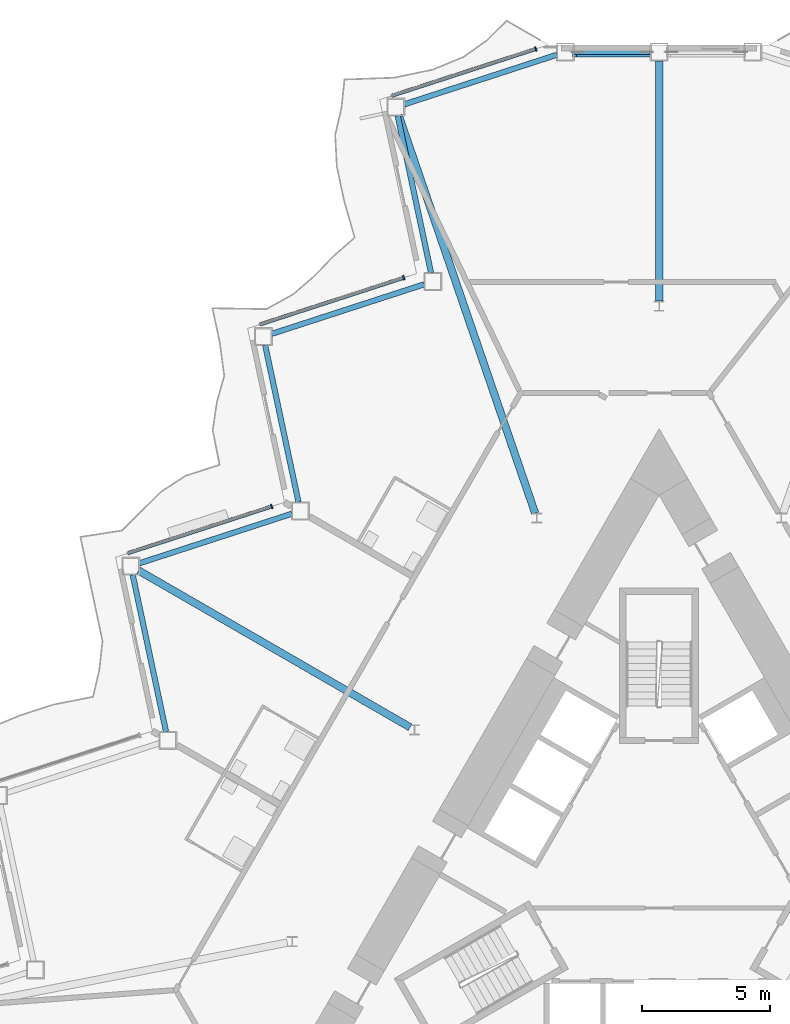
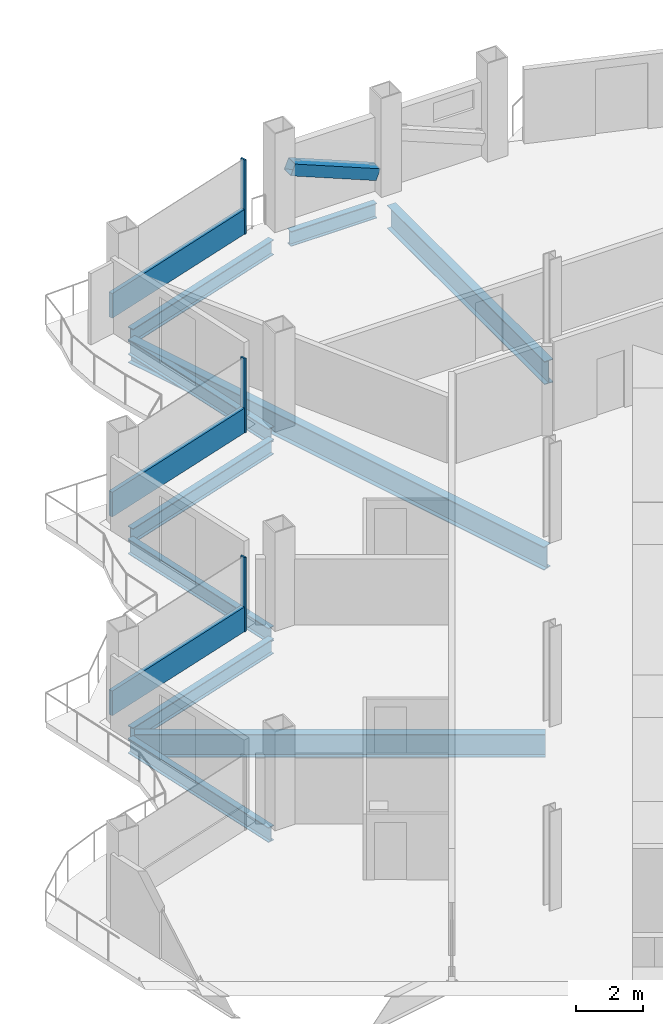
# One storey, part 8 of 24: 10 beams, 7 members, 3 elements without a shape of their own.
"""IFC4 building model written with IfcOpenShell, lengths in metres."""

from ifc_helpers import new_model, si_unit, direction, frame, origin, origin_2d, place, context, subcontext, project, spatial, rectangle, hollow_rectangle, i_section, extrude, material, layer, layer_set, material_profile, profile_set, type_object, element, aggregate, save


model = new_model("IFC4")

# Units and contexts
model_context = context("Model", 3, precision=1e-05, world=origin(), true_north=direction((0.0, 1.0)))
body_context = subcontext(model_context, "Body", "Model", "MODEL_VIEW")
ifc_project = project(units=[si_unit("LENGTHUNIT", "METRE"), si_unit("AREAUNIT", "SQUARE_METRE"), si_unit("VOLUMEUNIT", "CUBIC_METRE"), si_unit("PLANEANGLEUNIT", "RADIAN"), si_unit("MASSUNIT", "GRAM", prefix="KILO")], contexts=[model_context])

# Site, building, storey
site_placement = place(None, origin())
site = spatial("IfcSite", under=ifc_project, at=site_placement, CompositionType="ELEMENT")
building_placement = place(site_placement, origin())
building = spatial("IfcBuilding", under=site, at=building_placement, Name="Cormorant Prow Tower", CompositionType="ELEMENT")
storey_placement = place(building_placement, frame((0.0, 0.0, 234.60009765625)))
storey = spatial("IfcBuildingStorey", under=building, at=storey_placement, Name="L51", CompositionType="ELEMENT", Elevation=234.60009765625)

# Member
ifc_material_1 = material(Name="Structural steel ASTM A500 Gr C", Category="steel")
ifc_material_profile_1 = material_profile(ifc_material_1, hollow_rectangle(XDim=0.406494140625, YDim=0.406494140625, WallThickness=0.01171875, at=origin_2d()), Name="HSS16x16x1/2")
ifc_profile_set_1 = profile_set([ifc_material_profile_1], Name="Structural steel ASTM A500 Gr C")
member_type_1 = type_object("IfcMemberType", Name="Chamfer brace HSS16x16x1/2", PredefinedType="BRACE", material=ifc_profile_set_1)
member_1_placement = place(storey_placement, frame((-0.36572265625, 32.073486328125, 0.74951171875), z_axis=(-0.925591042089, 0.0, 0.37852506232), x_axis=(0.0, -1.0, 0.0)))
element("IfcMember", 1, at=member_1_placement, inside=storey, type_object=member_type_1, Name="Chamfer brace BR2 at N01 L51", PredefinedType="BRACE", context=body_context, shape_type="SweptSolid", body=[
    extrude(hollow_rectangle(XDim=0.406494140625, YDim=0.406494140625, WallThickness=0.01171875, at=origin_2d()), origin(), (0.0, 0.0, 1.0), 3.17529296875),
])

# Curtain wall, member
ifc_material_2 = material(Name="Aluminium 6063-T6", Category="aluminium")
ifc_layer = layer(ifc_material_2, 0.179931640625)
ifc_layer_set = layer_set([ifc_layer], Name="Aluminium 6063-T6")
curtain_wall_type = type_object("IfcCurtainWallType", Name="Hotel unitised curtain wall 180", PredefinedType="NOTDEFINED", material=ifc_layer_set)
curtain_wall_1_placement = place(storey_placement, origin())
curtain_wall_1 = element("IfcCurtainWall", 2, at=curtain_wall_1_placement, inside=storey, type_object=curtain_wall_type, Name="Hotel curtain wall WNW00", PredefinedType="NOTDEFINED")
ifc_material_3 = material(Name="Aluminium 6063-T6", Category="aluminium")
ifc_material_profile_2 = material_profile(ifc_material_3, rectangle(XDim=0.179931640625, YDim=0.06005859375, at=origin_2d()), Name="Hotel mullion 60x180")
ifc_profile_set_2 = profile_set([ifc_material_profile_2], Name="Aluminium 6063-T6")
member_type_2 = type_object("IfcMemberType", Name="Hotel mullion 60x180", PredefinedType="MULLION", material=ifc_profile_set_2)
member_2_placement = place(storey_placement, frame((-4.828857421875, 32.1923828125, 0.0), z_axis=(0.0, 0.0, 1.0), x_axis=(0.309016951383, -0.951056530264, 0.0)))
member_2 = element("IfcMember", 3, at=member_2_placement, type_object=member_type_2, Name="Hotel mullion WNW00", PredefinedType="MULLION", context=body_context, shape_type="SweptSolid", body=[
    extrude(rectangle(XDim=0.179931640625, YDim=0.06005859375, at=origin_2d()), origin(), (0.0, 0.0, 1.0), 2.70068359375),
])

curtain_wall_2_placement = place(storey_placement, origin())
curtain_wall_2 = element("IfcCurtainWall", 4, at=curtain_wall_2_placement, inside=storey, type_object=curtain_wall_type, Name="Hotel curtain wall WNW02", PredefinedType="NOTDEFINED")
member_3_placement = place(storey_placement, frame((-10.0009765625, 23.234375, 0.0), z_axis=(0.0, 0.0, 1.0), x_axis=(0.309017039126, -0.951056501755, 0.0)))
member_3 = element("IfcMember", 5, at=member_3_placement, type_object=member_type_2, Name="Hotel mullion WNW02", PredefinedType="MULLION", context=body_context, shape_type="SweptSolid", body=[
    extrude(rectangle(XDim=0.179931640625, YDim=0.06005859375, at=origin_2d()), origin(), (0.0, 0.0, 1.0), 2.70068359375),
])

curtain_wall_3_placement = place(storey_placement, origin())
curtain_wall_3 = element("IfcCurtainWall", 6, at=curtain_wall_3_placement, inside=storey, type_object=curtain_wall_type, Name="Hotel curtain wall WNW04", PredefinedType="NOTDEFINED")
member_4_placement = place(storey_placement, frame((-15.1728515625, 14.2763671875, 0.0), z_axis=(0.0, 0.0, 1.0), x_axis=(0.309017039126, -0.951056501755, 0.0)))
member_4 = element("IfcMember", 7, at=member_4_placement, type_object=member_type_2, Name="Hotel mullion WNW04", PredefinedType="MULLION", context=body_context, shape_type="SweptSolid", body=[
    extrude(rectangle(XDim=0.179931640625, YDim=0.06005859375, at=origin_2d()), origin(), (0.0, 0.0, 1.0), 2.70068359375),
])

# Member
ifc_material_4 = material(Name="Terracotta", Category="masonry")
ifc_material_profile_3 = material_profile(ifc_material_4, rectangle(XDim=0.139892578125, YDim=0.89990234375, at=origin_2d()), Name="Hotel terracotta spandrel rail 140x900")
ifc_profile_set_3 = profile_set([ifc_material_profile_3], Name="Terracotta")
member_type_3 = type_object("IfcMemberType", Name="Hotel terracotta spandrel rail 140x900", PredefinedType="USERDEFINED", material=ifc_profile_set_3)
member_5_placement = place(storey_placement, frame((-4.857421875, 32.18310546875, 0.449951171875), z_axis=(-0.951052928419, -0.309028036504, 0.0), x_axis=(0.309028036504, -0.951052928419, 0.0)))
member_5 = element("IfcMember", 8, at=member_5_placement, type_object=member_type_3, Name="Hotel spandrel rail WNW00", ObjectType="TRANSOM", PredefinedType="USERDEFINED", context=body_context, shape_type="SweptSolid", body=[
    extrude(rectangle(XDim=0.139892578125, YDim=0.89990234375, at=origin_2d()), origin(), (0.0, 0.0, 1.0), 5.8974609375),
])

aggregate(curtain_wall_1, [member_2, member_5])

member_6_placement = place(storey_placement, frame((-10.029296875, 23.22509765625, 0.449951171875), z_axis=(-0.951052928419, -0.309028036504, 0.0), x_axis=(0.309028036504, -0.951052928419, 0.0)))
member_6 = element("IfcMember", 9, at=member_6_placement, type_object=member_type_3, Name="Hotel spandrel rail WNW02", ObjectType="TRANSOM", PredefinedType="USERDEFINED", context=body_context, shape_type="SweptSolid", body=[
    extrude(rectangle(XDim=0.139892578125, YDim=0.89990234375, at=origin_2d()), origin(), (0.0, 0.0, 1.0), 5.8974609375),
])

aggregate(curtain_wall_2, [member_3, member_6])

member_7_placement = place(storey_placement, frame((-15.201171875, 14.26708984375, 0.449951171875), z_axis=(-0.951052928419, -0.309028036504, 0.0), x_axis=(0.309028036504, -0.951052928419, 0.0)))
member_7 = element("IfcMember", 10, at=member_7_placement, type_object=member_type_3, Name="Hotel spandrel rail WNW04", ObjectType="TRANSOM", PredefinedType="USERDEFINED", context=body_context, shape_type="SweptSolid", body=[
    extrude(rectangle(XDim=0.139892578125, YDim=0.89990234375, at=origin_2d()), origin(), (0.0, 0.0, 1.0), 5.8974609375),
])

aggregate(curtain_wall_3, [member_4, member_7])

# Beams
ifc_material_5 = material(Name="Structural steel ASTM A992 Gr 50", Category="steel")
ifc_material_profile_4 = material_profile(ifc_material_5, i_section(OverallWidth=0.29296875, OverallDepth=0.845703125, WebThickness=0.015380859375, FlangeThickness=0.0244140625, at=origin_2d()), Name="W33x141")
ifc_profile_set_4 = profile_set([ifc_material_profile_4], Name="Structural steel ASTM A992 Gr 50")
beam_type_1 = type_object("IfcBeamType", Name="Radial floor beam W33x141", PredefinedType="BEAM", material=ifc_profile_set_4)
beam_1_placement = place(storey_placement, frame((0.0, 22.320068359375, -0.77294921875), z_axis=(0.0, 1.0, 0.0), x_axis=(-1.0, 0.0, 0.0)))
element("IfcBeam", 11, at=beam_1_placement, inside=storey, type_object=beam_type_1, Name="Radial floor beam FB2 1 L51", PredefinedType="BEAM", context=body_context, shape_type="SweptSolid", body=[
    extrude(i_section(OverallWidth=0.29296875, OverallDepth=0.845703125, WebThickness=0.015380859375, FlangeThickness=0.0244140625, at=origin_2d()), origin(), (0.0, 0.0, 1.0), 9.4033203125),
])
beam_2_placement = place(storey_placement, frame((-4.85400390625, 14.013916015625, -0.77294921875), z_axis=(-0.324535507117, 0.945873514071, 0.0), x_axis=(-0.945873514071, -0.324535507117, 0.0)))
element("IfcBeam", 12, at=beam_2_placement, inside=storey, type_object=beam_type_1, Name="Radial floor beam FB2 2 L51", PredefinedType="BEAM", context=body_context, shape_type="SweptSolid", body=[
    extrude(i_section(OverallWidth=0.29296875, OverallDepth=0.845703125, WebThickness=0.015380859375, FlangeThickness=0.0244140625, at=origin_2d()), origin(), (0.0, 0.0, 1.0), 16.462158203125),
])
beam_3_placement = place(storey_placement, frame((-9.751220703125, 5.6298828125, -0.77294921875), z_axis=(-0.866021995826, 0.500005902711, 0.0), x_axis=(-0.500005902711, -0.866021995826, 0.0)))
element("IfcBeam", 13, at=beam_3_placement, inside=storey, type_object=beam_type_1, Name="Radial floor beam FB2 3 L51", PredefinedType="BEAM", context=body_context, shape_type="SweptSolid", body=[
    extrude(i_section(OverallWidth=0.29296875, OverallDepth=0.845703125, WebThickness=0.015380859375, FlangeThickness=0.0244140625, at=origin_2d()), origin(), (0.0, 0.0, 1.0), 12.277099609375),
])
ifc_material_6 = material(Name="Structural steel ASTM A992 Gr 50", Category="steel")
ifc_material_profile_5 = material_profile(ifc_material_6, i_section(OverallWidth=0.2138671875, OverallDepth=0.549072265625, WebThickness=0.0146484375, FlangeThickness=0.023681640625, at=origin_2d()), Name="W21x93")
ifc_profile_set_5 = profile_set([ifc_material_profile_5], Name="Structural steel ASTM A992 Gr 50")
beam_type_2 = type_object("IfcBeamType", Name="Spandrel beam W21x93", PredefinedType="SPANDREL", material=ifc_profile_set_5)
beam_4_placement = place(storey_placement, frame((-0.35009765625, 32.073486328125, -0.624755859375), z_axis=(-1.0, 0.0, 0.0), x_axis=(0.0, -1.0, 0.0)))
element("IfcBeam", 14, at=beam_4_placement, inside=storey, type_object=beam_type_2, Name="Spandrel beam SB2 N01-WNW00 L51", PredefinedType="SPANDREL", context=body_context, shape_type="SweptSolid", body=[
    extrude(i_section(OverallWidth=0.2138671875, OverallDepth=0.549072265625, WebThickness=0.0146484375, FlangeThickness=0.023681640625, at=origin_2d()), origin(), (0.0, 0.0, 1.0), 2.97021484375),
])
for number, where, z_axis, x_axis, name in (
    (15, (-4.003173828125, 31.96533203125, -0.624755859375), (-0.951054060056, -0.309024553801, 0.0), (0.309024553801, -0.951054060056, 0.0), "Spandrel beam SB2 WNW00-WNW01 L51"),
    (16, (-10.2373046875, 29.57373046875, -0.624755859375), (0.207896407679, -0.97815084914, 0.0), (0.97815084914, 0.207896407679, 0.0), "Spandrel beam SB2 WNW01-WNW02 L51"),
):
    element("IfcBeam", number, at=place(storey_placement, frame(where, z_axis=z_axis, x_axis=x_axis)), inside=storey, type_object=beam_type_2, Name=name, PredefinedType="SPANDREL", context=body_context, shape_type="SweptSolid", body=[
        extrude(i_section(OverallWidth=0.2138671875, OverallDepth=0.549072265625, WebThickness=0.0146484375, FlangeThickness=0.023681640625, at=origin_2d()), origin(), (0.0, 0.0, 1.0), 6.281494140625),
    ])
beam_5_placement = place(storey_placement, frame((-9.191650390625, 22.97900390625, -0.624755859375), z_axis=(-0.951050348284, -0.309035976918, 0.0), x_axis=(0.309035976918, -0.951050348284, 0.0)))
element("IfcBeam", 17, at=beam_5_placement, inside=storey, type_object=beam_type_2, Name="Spandrel beam SB2 WNW02-WNW03 L51", PredefinedType="SPANDREL", context=body_context, shape_type="SweptSolid", body=[
    extrude(i_section(OverallWidth=0.2138671875, OverallDepth=0.549072265625, WebThickness=0.0146484375, FlangeThickness=0.023681640625, at=origin_2d()), origin(), (0.0, 0.0, 1.0), 6.28125),
])
beam_6_placement = place(storey_placement, frame((-15.42578125, 20.58740234375, -0.624755859375), z_axis=(0.207933593793, -0.978142944856, 0.0), x_axis=(0.978142944856, 0.207933593793, 0.0)))
element("IfcBeam", 18, at=beam_6_placement, inside=storey, type_object=beam_type_2, Name="Spandrel beam SB2 WNW03-WNW04 L51", PredefinedType="SPANDREL", context=body_context, shape_type="SweptSolid", body=[
    extrude(i_section(OverallWidth=0.2138671875, OverallDepth=0.549072265625, WebThickness=0.0146484375, FlangeThickness=0.023681640625, at=origin_2d()), origin(), (0.0, 0.0, 1.0), 6.281494140625),
])
beam_7_placement = place(storey_placement, frame((-14.3798828125, 13.99267578125, -0.624755859375), z_axis=(-0.951050348284, -0.309035976918, 0.0), x_axis=(0.309035976918, -0.951050348284, 0.0)))
element("IfcBeam", 19, at=beam_7_placement, inside=storey, type_object=beam_type_2, Name="Spandrel beam SB2 WNW04-WNW05 L51", PredefinedType="SPANDREL", context=body_context, shape_type="SweptSolid", body=[
    extrude(i_section(OverallWidth=0.2138671875, OverallDepth=0.549072265625, WebThickness=0.0146484375, FlangeThickness=0.023681640625, at=origin_2d()), origin(), (0.0, 0.0, 1.0), 6.28125),
])
beam_8_placement = place(storey_placement, frame((-20.614013671875, 11.60107421875, -0.624755859375), z_axis=(0.207933593793, -0.978142944856, 0.0), x_axis=(0.978142944856, 0.207933593793, 0.0)))
element("IfcBeam", 20, at=beam_8_placement, inside=storey, type_object=beam_type_2, Name="Spandrel beam SB2 WNW05-WNW06 L51", PredefinedType="SPANDREL", context=body_context, shape_type="SweptSolid", body=[
    extrude(i_section(OverallWidth=0.2138671875, OverallDepth=0.549072265625, WebThickness=0.0146484375, FlangeThickness=0.023681640625, at=origin_2d()), origin(), (0.0, 0.0, 1.0), 6.281494140625),
])

save(model, "model.ifc")
